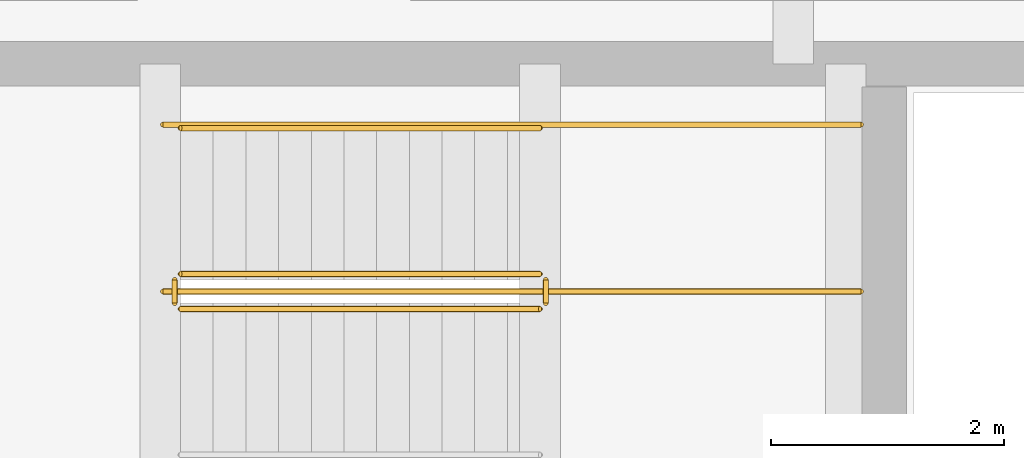
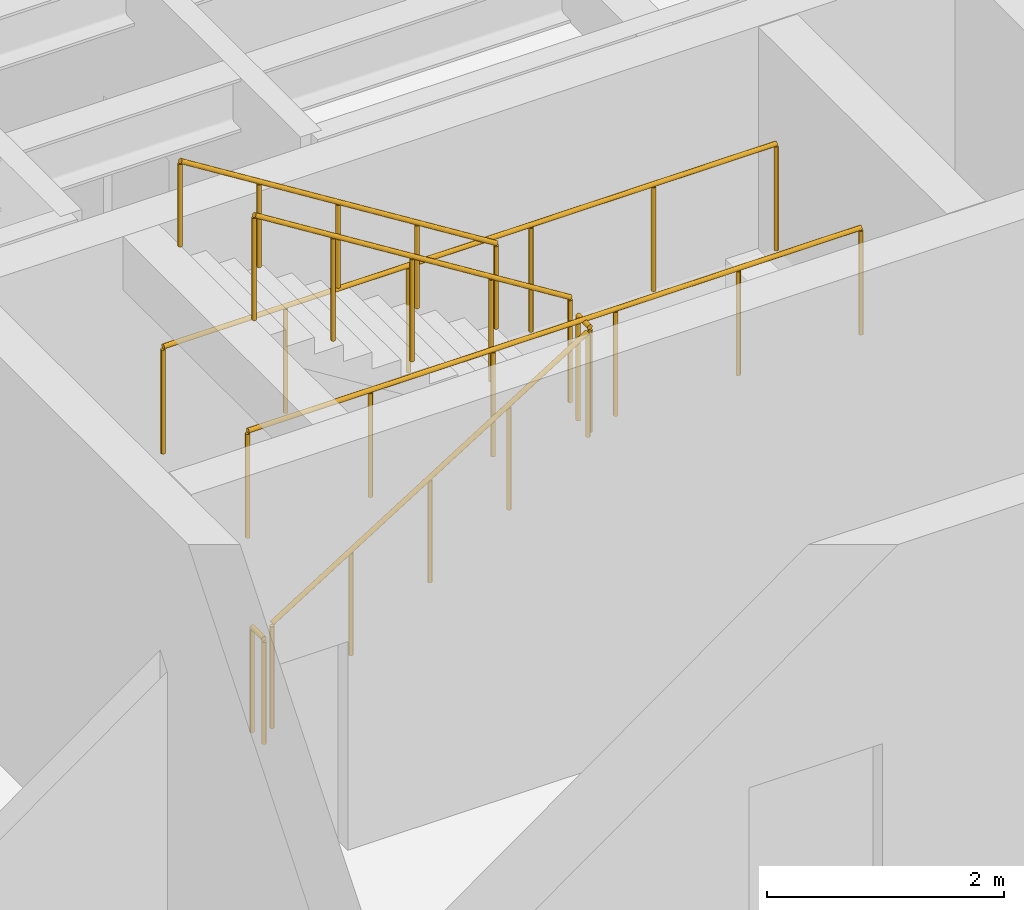
# One storey, part 65 of 66: 7 railings.
"""IFC4 building model written with IfcOpenShell, lengths in metres."""

from ifc_helpers import new_model, si_unit, direction, frame, origin, origin_2d, place, context, subcontext, project, spatial, circle, extrude, material, type_object, element, save


model = new_model("IFC4")

# Units and contexts
model_context = context("Model", 3, precision=1e-05, world=origin(), true_north=direction((0.0, 1.0)))
body_context = subcontext(model_context, "Body", "Model", "MODEL_VIEW")
ifc_project = project(units=[si_unit("LENGTHUNIT", "METRE"), si_unit("AREAUNIT", "SQUARE_METRE"), si_unit("VOLUMEUNIT", "CUBIC_METRE"), si_unit("PLANEANGLEUNIT", "RADIAN"), si_unit("MASSUNIT", "GRAM", prefix="KILO")], contexts=[model_context])

# Site, building, storey
site_placement = place(None, origin())
site = spatial("IfcSite", under=ifc_project, at=site_placement, CompositionType="ELEMENT")
building_placement = place(site_placement, origin())
building = spatial("IfcBuilding", under=site, at=building_placement, Name="Mithqara Police Headquarters", CompositionType="ELEMENT")
storey_placement = place(building_placement, frame((0.0, 0.0, 9.60009765625)))
storey = spatial("IfcBuildingStorey", under=building, at=storey_placement, Name="L02", CompositionType="ELEMENT", Elevation=9.60009765625)

# Railings
ifc_material = material(Name="Steel S355JR", Category="steel")
railing_type_1 = type_object("IfcRailingType", Name="HANDRAIL 920", PredefinedType="HANDRAIL", material=ifc_material)
railing_1_placement = place(storey_placement, frame((156.830078125, 49.25, 2.27490234375)))
element("IfcRailing", 1, at=railing_1_placement, inside=storey, type_object=railing_type_1, Name="L02 ST-04 stair handrail 2", PredefinedType="HANDRAIL", context=body_context, shape_type="SweptSolid", body=[
    extrude(circle(Radius=0.02392578125, at=origin_2d()), frame((0.0, 0.0, 0.8759765625), z_axis=(-0.847998304005, 0.0, 0.529998940003), x_axis=(0.0, -1.0, 0.0)), (0.0, 0.0, 1.0), 3.632080078125),
    extrude(circle(Radius=0.02099609375, at=origin_2d()), origin(), (0.0, 0.0, 1.0), 0.851806640625),
    extrude(circle(Radius=0.02099609375, at=origin_2d()), frame((-0.77001953125, 0.0, 0.481201171875)), (0.0, 0.0, 1.0), 0.851806640625),
    extrude(circle(Radius=0.02099609375, at=origin_2d()), frame((-1.5400390625, 0.0, 0.96240234375)), (0.0, 0.0, 1.0), 0.851806640625),
    extrude(circle(Radius=0.02099609375, at=origin_2d()), frame((-2.31005859375, 0.0, 1.44384765625)), (0.0, 0.0, 1.0), 0.851806640625),
    extrude(circle(Radius=0.02099609375, at=origin_2d()), frame((-3.080078125, 0.0, 1.925048828125)), (0.0, 0.0, 1.0), 0.851806640625),
])
railing_type_2 = type_object("IfcRailingType", Name="STAIR GUARD 1120", PredefinedType="GUARDRAIL", material=ifc_material)
railing_2_placement = place(storey_placement, frame((153.75, 47.699951171875, 0.1748046875)))
element("IfcRailing", 2, at=railing_2_placement, inside=storey, type_object=railing_type_2, Name="L02 ST-04 stair guard 1", PredefinedType="GUARDRAIL", context=body_context, shape_type="SweptSolid", body=[
    extrude(circle(Radius=0.02392578125, at=origin_2d()), frame((0.0, 0.0, 1.076171875), z_axis=(0.847998304005, 0.0, 0.529998940003), x_axis=(0.0, 1.0, 0.0)), (0.0, 0.0, 1.0), 3.632080078125),
    extrude(circle(Radius=0.02099609375, at=origin_2d()), origin(), (0.0, 0.0, 1.0), 1.052001953125),
    extrude(circle(Radius=0.02099609375, at=origin_2d()), frame((0.77001953125, 0.0, 0.481201171875)), (0.0, 0.0, 1.0), 1.052001953125),
    extrude(circle(Radius=0.02099609375, at=origin_2d()), frame((1.5400390625, 0.0, 0.96240234375)), (0.0, 0.0, 1.0), 1.052001953125),
    extrude(circle(Radius=0.02099609375, at=origin_2d()), frame((2.31005859375, 0.0, 1.44384765625)), (0.0, 0.0, 1.0), 1.052001953125),
    extrude(circle(Radius=0.02099609375, at=origin_2d()), frame((3.080078125, 0.0, 1.925048828125)), (0.0, 0.0, 1.0), 1.052001953125),
])
railing_3_placement = place(storey_placement, frame((156.8798828125, 47.75, 2.099853515625)))
element("IfcRailing", 3, at=railing_3_placement, inside=storey, type_object=railing_type_2, Name="L02 ST-04 stair guard 2", PredefinedType="GUARDRAIL", context=body_context, shape_type="SweptSolid", body=[
    extrude(circle(Radius=0.02392578125, at=origin_2d()), frame((0.0, 0.0, 1.076171875), z_axis=(0.0, 1.0, 0.0), x_axis=(-1.0, 0.0, 0.0)), (0.0, 0.0, 1.0), 0.199951171875),
    extrude(circle(Radius=0.02099609375, at=origin_2d()), origin(), (0.0, 0.0, 1.0), 1.052001953125),
    extrude(circle(Radius=0.02099609375, at=origin_2d()), frame((0.0, 0.199951171875, 0.0)), (0.0, 0.0, 1.0), 1.052001953125),
])
railing_4_placement = place(storey_placement, frame((156.830078125, 48.0, 2.27490234375)))
element("IfcRailing", 4, at=railing_4_placement, inside=storey, type_object=railing_type_2, Name="L02 ST-04 stair guard 3", PredefinedType="GUARDRAIL", context=body_context, shape_type="SweptSolid", body=[
    extrude(circle(Radius=0.02392578125, at=origin_2d()), frame((0.0, 0.0, 1.076171875), z_axis=(-0.847998304005, 0.0, 0.529998940003), x_axis=(0.0, -1.0, 0.0)), (0.0, 0.0, 1.0), 3.632080078125),
    extrude(circle(Radius=0.02099609375, at=origin_2d()), origin(), (0.0, 0.0, 1.0), 1.052001953125),
    extrude(circle(Radius=0.02099609375, at=origin_2d()), frame((-0.77001953125, 0.0, 0.481201171875)), (0.0, 0.0, 1.0), 1.052001953125),
    extrude(circle(Radius=0.02099609375, at=origin_2d()), frame((-1.5400390625, 0.0, 0.96240234375)), (0.0, 0.0, 1.0), 1.052001953125),
    extrude(circle(Radius=0.02099609375, at=origin_2d()), frame((-2.31005859375, 0.0, 1.44384765625)), (0.0, 0.0, 1.0), 1.052001953125),
    extrude(circle(Radius=0.02099609375, at=origin_2d()), frame((-3.080078125, 0.0, 1.925048828125)), (0.0, 0.0, 1.0), 1.052001953125),
])
railing_5_placement = place(storey_placement, frame((153.699951171875, 47.75, 0.0)))
element("IfcRailing", 5, at=railing_5_placement, inside=storey, type_object=railing_type_2, Name="L02 ST-04 stair guard 4", PredefinedType="GUARDRAIL", context=body_context, shape_type="SweptSolid", body=[
    extrude(circle(Radius=0.02392578125, at=origin_2d()), frame((0.0, 0.0, 1.076171875), z_axis=(0.0, 1.0, 0.0), x_axis=(-1.0, 0.0, 0.0)), (0.0, 0.0, 1.0), 0.199951171875),
    extrude(circle(Radius=0.02099609375, at=origin_2d()), origin(), (0.0, 0.0, 1.0), 1.052001953125),
    extrude(circle(Radius=0.02099609375, at=origin_2d()), frame((0.0, 0.199951171875, 0.0)), (0.0, 0.0, 1.0), 1.052001953125),
])
for number, where, name in (
    (6, (153.60009765625, 47.85009765625, 2.099853515625), "L02 ST-04 Half-Landing Guard IN"),
    (7, (153.60009765625, 49.280029296875, 2.099853515625), "L02 ST-04 Half-Landing Guard OUT"),
):
    element("IfcRailing", number, at=place(storey_placement, frame(where)), inside=storey, type_object=railing_type_2, Name=name, PredefinedType="GUARDRAIL", context=body_context, shape_type="SweptSolid", body=[
        extrude(circle(Radius=0.02392578125, at=origin_2d()), frame((0.0, 0.0, 1.09619140625), z_axis=(1.0, 0.0, 0.0), x_axis=(0.0, 1.0, 0.0)), (0.0, 0.0, 1.0), 5.97998046875),
        extrude(circle(Radius=0.02099609375, at=origin_2d()), origin(), (0.0, 0.0, 1.0), 1.072021484375),
        extrude(circle(Radius=0.02099609375, at=origin_2d()), frame((1.196044921875, 0.0, 0.0)), (0.0, 0.0, 1.0), 1.072021484375),
        extrude(circle(Radius=0.02099609375, at=origin_2d()), frame((2.39208984375, 0.0, 0.0)), (0.0, 0.0, 1.0), 1.072021484375),
        extrude(circle(Radius=0.02099609375, at=origin_2d()), frame((3.587890625, 0.0, 0.0)), (0.0, 0.0, 1.0), 1.072021484375),
        extrude(circle(Radius=0.02099609375, at=origin_2d()), frame((4.783935546875, 0.0, 0.0)), (0.0, 0.0, 1.0), 1.072021484375),
        extrude(circle(Radius=0.02099609375, at=origin_2d()), frame((5.97998046875, 0.0, 0.0)), (0.0, 0.0, 1.0), 1.072021484375),
    ])

save(model, "model.ifc")
